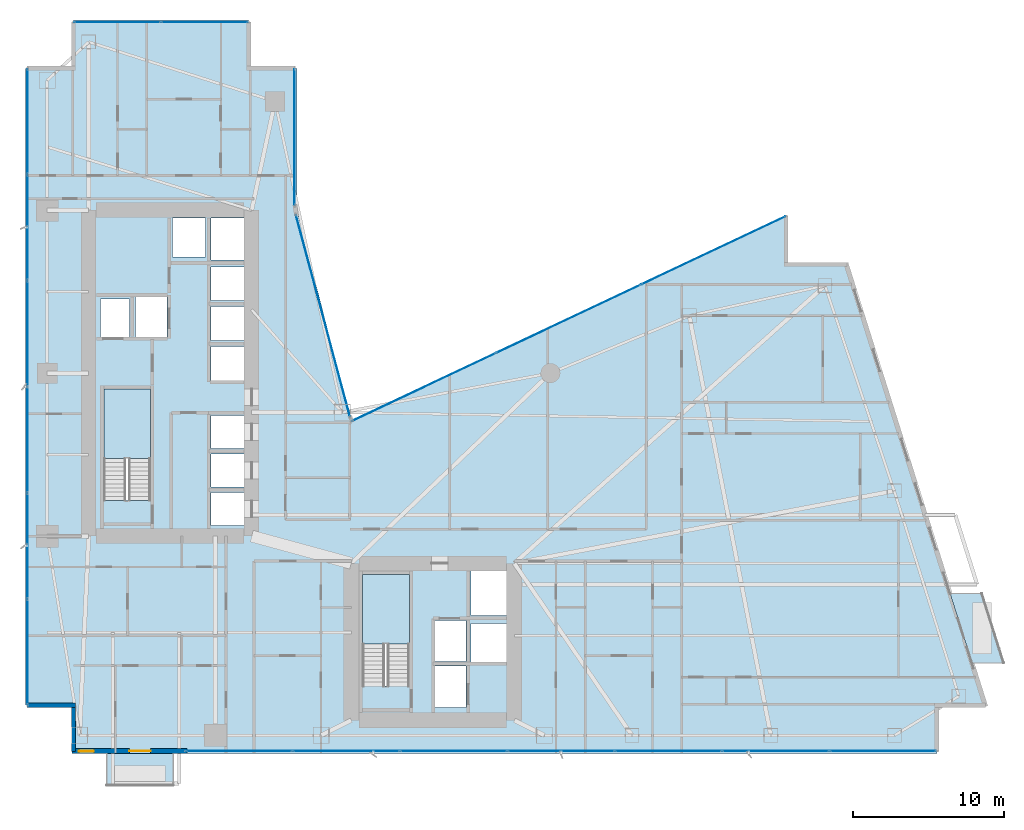
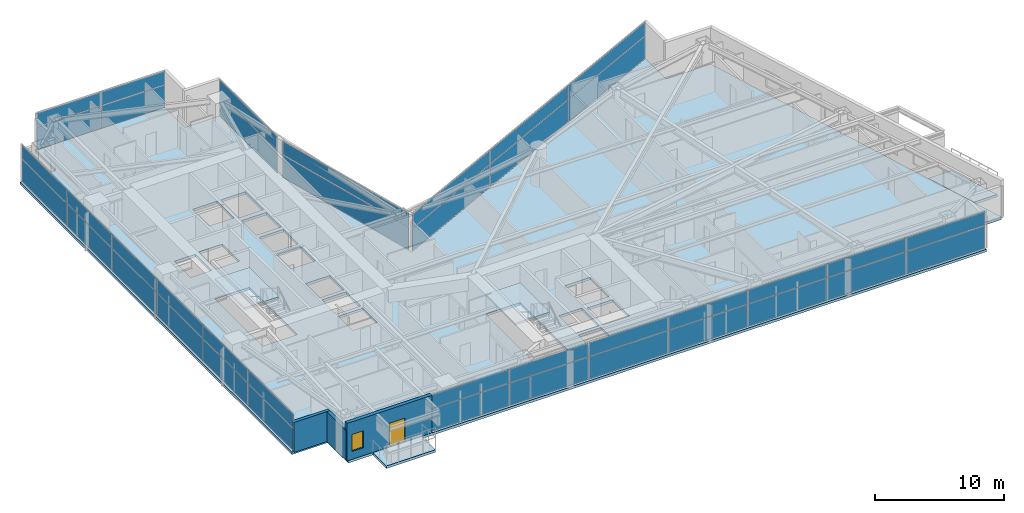
# One storey, part 21 of 30: 40 plates, 5 slabs, 3 walls, 1 door, 1 window, 2 openings, 8 elements without a shape of their own.
"""IFC4 building model written with IfcOpenShell, lengths in metres."""

from ifc_helpers import new_model, si_unit, direction, frame, frame_2d, origin, origin_2d, place, context, subcontext, project, spatial, polyline, rectangle, outline, extrude, material, layer, layer_set, type_object, element, fill, aggregate, save


model = new_model("IFC4")

# Units and contexts
model_context = context("Model", 3, precision=1e-05, world=origin(), true_north=direction((0.0, 1.0)))
body_context = subcontext(model_context, "Body", "Model", "MODEL_VIEW")
ifc_project = project(units=[si_unit("LENGTHUNIT", "METRE"), si_unit("AREAUNIT", "SQUARE_METRE"), si_unit("VOLUMEUNIT", "CUBIC_METRE"), si_unit("PLANEANGLEUNIT", "RADIAN"), si_unit("MASSUNIT", "GRAM", prefix="KILO")], contexts=[model_context])

# Site, building, storey
site_placement = place(None, origin())
site = spatial("IfcSite", under=ifc_project, at=site_placement, CompositionType="ELEMENT")
building_placement = place(site_placement, origin())
building = spatial("IfcBuilding", under=site, at=building_placement, Name="Calvorn Quay Hotel", CompositionType="ELEMENT")
storey_placement = place(building_placement, frame((0.0, 0.0, 77.39990234375)))
storey = spatial("IfcBuildingStorey", under=building, at=storey_placement, Name="L18", CompositionType="ELEMENT", Elevation=77.39990234375)

# Curtain wall, plates
ifc_material_1 = material(Name="Pale Anodised Aluminium and Low-E Glass", Category="aluminium")
ifc_layer_1 = layer(ifc_material_1, 0.219970703125)
ifc_layer_set_1 = layer_set([ifc_layer_1], Name="CW-SYS-Z1")
curtain_wall_type = type_object("IfcCurtainWallType", Name="CW-SYS-Z1", PredefinedType="NOTDEFINED", material=ifc_layer_set_1)
curtain_wall_1_placement = place(storey_placement, origin())
curtain_wall_1 = element("IfcCurtainWall", 1, at=curtain_wall_1_placement, inside=storey, type_object=curtain_wall_type, Name="Tower West Curtain Wall (L18)", PredefinedType="NOTDEFINED")
ifc_material_2 = material(Name="Low-E Laminated Double Glazing", Category="glass")
ifc_layer_2 = layer(ifc_material_2, 0.028076171875)
ifc_layer_set_2 = layer_set([ifc_layer_2], Name="CW-SYS-Z1-PAN")
plate_type = type_object("IfcPlateType", Name="CW-SYS-Z1-PAN", PredefinedType="CURTAIN_PANEL", material=ifc_layer_set_2)
plate_1_placement = place(storey_placement, frame((0.14990234375, 9.131591796875, 0.06005859375), z_axis=(0.0, 0.0, 1.0), x_axis=(0.0, 1.0, 0.0)))
plate_1 = element("IfcPlate", 2, at=plate_1_placement, type_object=plate_type, Name="CW-L18-W panel 1.1", PredefinedType="CURTAIN_PANEL", context=body_context, shape_type="SweptSolid", body=[
    extrude(rectangle(XDim=6.943359375, YDim=0.028076171875, at=origin_2d()), origin(), (0.0, 0.0, 1.0), 2.110107421875),
])
plate_2_placement = place(storey_placement, frame((0.14990234375, 9.131591796875, 2.22998046875), z_axis=(0.0, 0.0, 1.0), x_axis=(0.0, 1.0, 0.0)))
plate_2 = element("IfcPlate", 3, at=plate_2_placement, type_object=plate_type, Name="CW-L18-W panel 1.2", PredefinedType="CURTAIN_PANEL", context=body_context, shape_type="SweptSolid", body=[
    extrude(rectangle(XDim=6.943359375, YDim=0.028076171875, at=origin_2d()), origin(), (0.0, 0.0, 1.0), 1.27001953125),
])
plate_3_placement = place(storey_placement, frame((0.14990234375, 16.14990234375, 0.06005859375), z_axis=(0.0, 0.0, 1.0), x_axis=(0.0, 1.0, 0.0)))
plate_3 = element("IfcPlate", 4, at=plate_3_placement, type_object=plate_type, Name="CW-L18-W panel 2.1", PredefinedType="CURTAIN_PANEL", context=body_context, shape_type="SweptSolid", body=[
    extrude(rectangle(XDim=6.973388671875, YDim=0.028076171875, at=origin_2d()), origin(), (0.0, 0.0, 1.0), 2.110107421875),
])
plate_4_placement = place(storey_placement, frame((0.14990234375, 16.14990234375, 2.22998046875), z_axis=(0.0, 0.0, 1.0), x_axis=(0.0, 1.0, 0.0)))
plate_4 = element("IfcPlate", 5, at=plate_4_placement, type_object=plate_type, Name="CW-L18-W panel 2.2", PredefinedType="CURTAIN_PANEL", context=body_context, shape_type="SweptSolid", body=[
    extrude(rectangle(XDim=6.973388671875, YDim=0.028076171875, at=origin_2d()), origin(), (0.0, 0.0, 1.0), 1.27001953125),
])
plate_5_placement = place(storey_placement, frame((0.14990234375, 23.183349609375, 0.06005859375), z_axis=(0.0, 0.0, 1.0), x_axis=(0.0, 1.0, 0.0)))
plate_5 = element("IfcPlate", 6, at=plate_5_placement, type_object=plate_type, Name="CW-L18-W panel 3.1", PredefinedType="CURTAIN_PANEL", context=body_context, shape_type="SweptSolid", body=[
    extrude(rectangle(XDim=6.973388671875, YDim=0.028076171875, at=origin_2d()), origin(), (0.0, 0.0, 1.0), 2.110107421875),
])
plate_6_placement = place(storey_placement, frame((0.14990234375, 23.183349609375, 2.22998046875), z_axis=(0.0, 0.0, 1.0), x_axis=(0.0, 1.0, 0.0)))
plate_6 = element("IfcPlate", 7, at=plate_6_placement, type_object=plate_type, Name="CW-L18-W panel 3.2", PredefinedType="CURTAIN_PANEL", context=body_context, shape_type="SweptSolid", body=[
    extrude(rectangle(XDim=6.973388671875, YDim=0.028076171875, at=origin_2d()), origin(), (0.0, 0.0, 1.0), 1.27001953125),
])
plate_7_placement = place(storey_placement, frame((0.14990234375, 30.216552734375, 0.06005859375), z_axis=(0.0, 0.0, 1.0), x_axis=(0.0, 1.0, 0.0)))
plate_7 = element("IfcPlate", 8, at=plate_7_placement, type_object=plate_type, Name="CW-L18-W panel 4.1", PredefinedType="CURTAIN_PANEL", context=body_context, shape_type="SweptSolid", body=[
    extrude(rectangle(XDim=6.973388671875, YDim=0.028076171875, at=origin_2d()), origin(), (0.0, 0.0, 1.0), 2.110107421875),
])
plate_8_placement = place(storey_placement, frame((0.14990234375, 30.216552734375, 2.22998046875), z_axis=(0.0, 0.0, 1.0), x_axis=(0.0, 1.0, 0.0)))
plate_8 = element("IfcPlate", 9, at=plate_8_placement, type_object=plate_type, Name="CW-L18-W panel 4.2", PredefinedType="CURTAIN_PANEL", context=body_context, shape_type="SweptSolid", body=[
    extrude(rectangle(XDim=6.973388671875, YDim=0.028076171875, at=origin_2d()), origin(), (0.0, 0.0, 1.0), 1.27001953125),
])
plate_9_placement = place(storey_placement, frame((0.14990234375, 37.25, 0.06005859375), z_axis=(0.0, 0.0, 1.0), x_axis=(0.0, 1.0, 0.0)))
plate_9 = element("IfcPlate", 10, at=plate_9_placement, type_object=plate_type, Name="CW-L18-W panel 5.1", PredefinedType="CURTAIN_PANEL", context=body_context, shape_type="SweptSolid", body=[
    extrude(rectangle(XDim=6.973388671875, YDim=0.028076171875, at=origin_2d()), origin(), (0.0, 0.0, 1.0), 2.110107421875),
])
plate_10_placement = place(storey_placement, frame((0.14990234375, 37.25, 2.22998046875), z_axis=(0.0, 0.0, 1.0), x_axis=(0.0, 1.0, 0.0)))
plate_10 = element("IfcPlate", 11, at=plate_10_placement, type_object=plate_type, Name="CW-L18-W panel 5.2", PredefinedType="CURTAIN_PANEL", context=body_context, shape_type="SweptSolid", body=[
    extrude(rectangle(XDim=6.973388671875, YDim=0.028076171875, at=origin_2d()), origin(), (0.0, 0.0, 1.0), 1.27001953125),
])
plate_11_placement = place(storey_placement, frame((0.14990234375, 44.268310546875, 0.06005859375), z_axis=(0.0, 0.0, 1.0), x_axis=(0.0, 1.0, 0.0)))
plate_11 = element("IfcPlate", 12, at=plate_11_placement, type_object=plate_type, Name="CW-L18-W panel 6.1", PredefinedType="CURTAIN_PANEL", context=body_context, shape_type="SweptSolid", body=[
    extrude(rectangle(XDim=6.943359375, YDim=0.028076171875, at=origin_2d()), origin(), (0.0, 0.0, 1.0), 2.110107421875),
])
plate_12_placement = place(storey_placement, frame((0.14990234375, 44.268310546875, 2.22998046875), z_axis=(0.0, 0.0, 1.0), x_axis=(0.0, 1.0, 0.0)))
plate_12 = element("IfcPlate", 13, at=plate_12_placement, type_object=plate_type, Name="CW-L18-W panel 6.2", PredefinedType="CURTAIN_PANEL", context=body_context, shape_type="SweptSolid", body=[
    extrude(rectangle(XDim=6.943359375, YDim=0.028076171875, at=origin_2d()), origin(), (0.0, 0.0, 1.0), 1.27001953125),
])
aggregate(curtain_wall_1, [plate_1, plate_2, plate_3, plate_4, plate_5, plate_6, plate_7, plate_8, plate_9, plate_10, plate_11, plate_12])

curtain_wall_2_placement = place(storey_placement, origin())
curtain_wall_2 = element("IfcCurtainWall", 14, at=curtain_wall_2_placement, inside=storey, type_object=curtain_wall_type, Name="Tower South Waterfront Curtain Wall (L18)", PredefinedType="NOTDEFINED")
plate_13_placement = place(storey_placement, frame((14.172119140625, 2.550048828125, 0.06005859375), z_axis=(0.0, 0.0, 1.0), x_axis=(1.0, 0.0, 0.0)))
plate_13 = element("IfcPlate", 15, at=plate_13_placement, type_object=plate_type, Name="CW-L18-S panel 1.1", PredefinedType="CURTAIN_PANEL", context=body_context, shape_type="SweptSolid", body=[
    extrude(rectangle(XDim=7.024169921875, YDim=0.028076171875, at=origin_2d()), origin(), (0.0, 0.0, 1.0), 2.110107421875),
])
plate_14_placement = place(storey_placement, frame((14.172119140625, 2.550048828125, 2.22998046875), z_axis=(0.0, 0.0, 1.0), x_axis=(1.0, 0.0, 0.0)))
plate_14 = element("IfcPlate", 16, at=plate_14_placement, type_object=plate_type, Name="CW-L18-S panel 1.2", PredefinedType="CURTAIN_PANEL", context=body_context, shape_type="SweptSolid", body=[
    extrude(rectangle(XDim=7.024169921875, YDim=0.028076171875, at=origin_2d()), origin(), (0.0, 0.0, 1.0), 1.27001953125),
])
plate_15_placement = place(storey_placement, frame((21.271484375, 2.550048828125, 0.06005859375), z_axis=(0.0, 0.0, 1.0), x_axis=(1.0, 0.0, 0.0)))
plate_15 = element("IfcPlate", 17, at=plate_15_placement, type_object=plate_type, Name="CW-L18-S panel 2.1", PredefinedType="CURTAIN_PANEL", context=body_context, shape_type="SweptSolid", body=[
    extrude(rectangle(XDim=7.05419921875, YDim=0.028076171875, at=origin_2d()), origin(), (0.0, 0.0, 1.0), 2.110107421875),
])
plate_16_placement = place(storey_placement, frame((21.271484375, 2.550048828125, 2.22998046875), z_axis=(0.0, 0.0, 1.0), x_axis=(1.0, 0.0, 0.0)))
plate_16 = element("IfcPlate", 18, at=plate_16_placement, type_object=plate_type, Name="CW-L18-S panel 2.2", PredefinedType="CURTAIN_PANEL", context=body_context, shape_type="SweptSolid", body=[
    extrude(rectangle(XDim=7.05419921875, YDim=0.028076171875, at=origin_2d()), origin(), (0.0, 0.0, 1.0), 1.27001953125),
])
plate_17_placement = place(storey_placement, frame((28.3857421875, 2.550048828125, 0.06005859375), z_axis=(0.0, 0.0, 1.0), x_axis=(1.0, 0.0, 0.0)))
plate_17 = element("IfcPlate", 19, at=plate_17_placement, type_object=plate_type, Name="CW-L18-S panel 3.1", PredefinedType="CURTAIN_PANEL", context=body_context, shape_type="SweptSolid", body=[
    extrude(rectangle(XDim=7.05419921875, YDim=0.028076171875, at=origin_2d()), origin(), (0.0, 0.0, 1.0), 2.110107421875),
])
plate_18_placement = place(storey_placement, frame((28.3857421875, 2.550048828125, 2.22998046875), z_axis=(0.0, 0.0, 1.0), x_axis=(1.0, 0.0, 0.0)))
plate_18 = element("IfcPlate", 20, at=plate_18_placement, type_object=plate_type, Name="CW-L18-S panel 3.2", PredefinedType="CURTAIN_PANEL", context=body_context, shape_type="SweptSolid", body=[
    extrude(rectangle(XDim=7.05419921875, YDim=0.028076171875, at=origin_2d()), origin(), (0.0, 0.0, 1.0), 1.27001953125),
])
plate_19_placement = place(storey_placement, frame((35.5, 2.550048828125, 0.06005859375), z_axis=(0.0, 0.0, 1.0), x_axis=(1.0, 0.0, 0.0)))
plate_19 = element("IfcPlate", 21, at=plate_19_placement, type_object=plate_type, Name="CW-L18-S panel 4.1", PredefinedType="CURTAIN_PANEL", context=body_context, shape_type="SweptSolid", body=[
    extrude(rectangle(XDim=7.05419921875, YDim=0.028076171875, at=origin_2d()), origin(), (0.0, 0.0, 1.0), 2.110107421875),
])
plate_20_placement = place(storey_placement, frame((35.5, 2.550048828125, 2.22998046875), z_axis=(0.0, 0.0, 1.0), x_axis=(1.0, 0.0, 0.0)))
plate_20 = element("IfcPlate", 22, at=plate_20_placement, type_object=plate_type, Name="CW-L18-S panel 4.2", PredefinedType="CURTAIN_PANEL", context=body_context, shape_type="SweptSolid", body=[
    extrude(rectangle(XDim=7.05419921875, YDim=0.028076171875, at=origin_2d()), origin(), (0.0, 0.0, 1.0), 1.27001953125),
])
plate_21_placement = place(storey_placement, frame((42.6142578125, 2.550048828125, 0.06005859375), z_axis=(0.0, 0.0, 1.0), x_axis=(1.0, 0.0, 0.0)))
plate_21 = element("IfcPlate", 23, at=plate_21_placement, type_object=plate_type, Name="CW-L18-S panel 5.1", PredefinedType="CURTAIN_PANEL", context=body_context, shape_type="SweptSolid", body=[
    extrude(rectangle(XDim=7.05419921875, YDim=0.028076171875, at=origin_2d()), origin(), (0.0, 0.0, 1.0), 2.110107421875),
])
plate_22_placement = place(storey_placement, frame((42.6142578125, 2.550048828125, 2.22998046875), z_axis=(0.0, 0.0, 1.0), x_axis=(1.0, 0.0, 0.0)))
plate_22 = element("IfcPlate", 24, at=plate_22_placement, type_object=plate_type, Name="CW-L18-S panel 5.2", PredefinedType="CURTAIN_PANEL", context=body_context, shape_type="SweptSolid", body=[
    extrude(rectangle(XDim=7.05419921875, YDim=0.028076171875, at=origin_2d()), origin(), (0.0, 0.0, 1.0), 1.27001953125),
])
plate_23_placement = place(storey_placement, frame((49.728515625, 2.550048828125, 0.06005859375), z_axis=(0.0, 0.0, 1.0), x_axis=(1.0, 0.0, 0.0)))
plate_23 = element("IfcPlate", 25, at=plate_23_placement, type_object=plate_type, Name="CW-L18-S panel 6.1", PredefinedType="CURTAIN_PANEL", context=body_context, shape_type="SweptSolid", body=[
    extrude(rectangle(XDim=7.05419921875, YDim=0.028076171875, at=origin_2d()), origin(), (0.0, 0.0, 1.0), 2.110107421875),
])
plate_24_placement = place(storey_placement, frame((49.728515625, 2.550048828125, 2.22998046875), z_axis=(0.0, 0.0, 1.0), x_axis=(1.0, 0.0, 0.0)))
plate_24 = element("IfcPlate", 26, at=plate_24_placement, type_object=plate_type, Name="CW-L18-S panel 6.2", PredefinedType="CURTAIN_PANEL", context=body_context, shape_type="SweptSolid", body=[
    extrude(rectangle(XDim=7.05419921875, YDim=0.028076171875, at=origin_2d()), origin(), (0.0, 0.0, 1.0), 1.27001953125),
])
plate_25_placement = place(storey_placement, frame((56.827880859375, 2.550048828125, 0.06005859375), z_axis=(0.0, 0.0, 1.0), x_axis=(1.0, 0.0, 0.0)))
plate_25 = element("IfcPlate", 27, at=plate_25_placement, type_object=plate_type, Name="CW-L18-S panel 7.1", PredefinedType="CURTAIN_PANEL", context=body_context, shape_type="SweptSolid", body=[
    extrude(rectangle(XDim=7.024169921875, YDim=0.028076171875, at=origin_2d()), origin(), (0.0, 0.0, 1.0), 2.110107421875),
])
plate_26_placement = place(storey_placement, frame((56.827880859375, 2.550048828125, 2.22998046875), z_axis=(0.0, 0.0, 1.0), x_axis=(1.0, 0.0, 0.0)))
plate_26 = element("IfcPlate", 28, at=plate_26_placement, type_object=plate_type, Name="CW-L18-S panel 7.2", PredefinedType="CURTAIN_PANEL", context=body_context, shape_type="SweptSolid", body=[
    extrude(rectangle(XDim=7.024169921875, YDim=0.028076171875, at=origin_2d()), origin(), (0.0, 0.0, 1.0), 1.27001953125),
])
aggregate(curtain_wall_2, [plate_13, plate_14, plate_15, plate_16, plate_17, plate_18, plate_19, plate_20, plate_21, plate_22, plate_23, plate_24, plate_25, plate_26])

curtain_wall_3_placement = place(storey_placement, origin())
curtain_wall_3 = element("IfcCurtainWall", 29, at=curtain_wall_3_placement, inside=storey, type_object=curtain_wall_type, Name="Inner Court Curtain Wall L18-NE1", PredefinedType="NOTDEFINED")
plate_27_placement = place(storey_placement, frame((45.58642578125, 35.726806640625, 0.06005859375), z_axis=(0.0, 0.0, 1.0), x_axis=(-0.904248646743, -0.427006305415, 0.0)))
plate_27 = element("IfcPlate", 30, at=plate_27_placement, type_object=plate_type, Name="CW-L18-NE1 panel 1.1", PredefinedType="CURTAIN_PANEL", context=body_context, shape_type="SweptSolid", body=[
    extrude(rectangle(XDim=10.526611328125, YDim=0.028076171875, at=origin_2d()), origin(), (0.0, 0.0, 1.0), 2.110107421875),
])
plate_28_placement = place(storey_placement, frame((45.58642578125, 35.726806640625, 2.22998046875), z_axis=(0.0, 0.0, 1.0), x_axis=(-0.904248646743, -0.427006305415, 0.0)))
plate_28 = element("IfcPlate", 31, at=plate_28_placement, type_object=plate_type, Name="CW-L18-NE1 panel 1.2", PredefinedType="CURTAIN_PANEL", context=body_context, shape_type="SweptSolid", body=[
    extrude(rectangle(XDim=10.526611328125, YDim=0.028076171875, at=origin_2d()), origin(), (0.0, 0.0, 1.0), 1.27001953125),
])
plate_29_placement = place(storey_placement, frame((36.0, 31.199951171875, 0.06005859375), z_axis=(0.0, 0.0, 1.0), x_axis=(-0.904248646743, -0.427006305415, 0.0)))
plate_29 = element("IfcPlate", 32, at=plate_29_placement, type_object=plate_type, Name="CW-L18-NE1 panel 2.1", PredefinedType="CURTAIN_PANEL", context=body_context, shape_type="SweptSolid", body=[
    extrude(rectangle(XDim=10.556640625, YDim=0.028076171875, at=origin_2d()), origin(), (0.0, 0.0, 1.0), 2.110107421875),
])
plate_30_placement = place(storey_placement, frame((36.0, 31.199951171875, 2.22998046875), z_axis=(0.0, 0.0, 1.0), x_axis=(-0.904248646743, -0.427006305415, 0.0)))
plate_30 = element("IfcPlate", 33, at=plate_30_placement, type_object=plate_type, Name="CW-L18-NE1 panel 2.2", PredefinedType="CURTAIN_PANEL", context=body_context, shape_type="SweptSolid", body=[
    extrude(rectangle(XDim=10.556640625, YDim=0.028076171875, at=origin_2d()), origin(), (0.0, 0.0, 1.0), 1.27001953125),
])
plate_31_placement = place(storey_placement, frame((26.41357421875, 26.673095703125, 0.06005859375), z_axis=(0.0, 0.0, 1.0), x_axis=(-0.904248646743, -0.427006305415, 0.0)))
plate_31 = element("IfcPlate", 34, at=plate_31_placement, type_object=plate_type, Name="CW-L18-NE1 panel 3.1", PredefinedType="CURTAIN_PANEL", context=body_context, shape_type="SweptSolid", body=[
    extrude(rectangle(XDim=10.526611328125, YDim=0.028076171875, at=origin_2d()), origin(), (0.0, 0.0, 1.0), 2.110107421875),
])
plate_32_placement = place(storey_placement, frame((26.41357421875, 26.673095703125, 2.22998046875), z_axis=(0.0, 0.0, 1.0), x_axis=(-0.904248646743, -0.427006305415, 0.0)))
plate_32 = element("IfcPlate", 35, at=plate_32_placement, type_object=plate_type, Name="CW-L18-NE1 panel 3.2", PredefinedType="CURTAIN_PANEL", context=body_context, shape_type="SweptSolid", body=[
    extrude(rectangle(XDim=10.526611328125, YDim=0.028076171875, at=origin_2d()), origin(), (0.0, 0.0, 1.0), 1.27001953125),
])
aggregate(curtain_wall_3, [plate_27, plate_28, plate_29, plate_30, plate_31, plate_32])

curtain_wall_4_placement = place(storey_placement, origin())
curtain_wall_4 = element("IfcCurtainWall", 36, at=curtain_wall_4_placement, inside=storey, type_object=curtain_wall_type, Name="Inner Court Curtain Wall L18-IC1", PredefinedType="NOTDEFINED")
plate_33_placement = place(storey_placement, frame((19.72509765625, 31.39990234375, 0.06005859375), z_axis=(0.0, 0.0, 1.0), x_axis=(-0.25877913024, 0.96593652056, 0.0)))
plate_33 = element("IfcPlate", 37, at=plate_33_placement, type_object=plate_type, Name="CW-L18-IC1 panel 1.1", PredefinedType="CURTAIN_PANEL", context=body_context, shape_type="SweptSolid", body=[
    extrude(rectangle(XDim=13.814697265625, YDim=0.028076171875, at=origin_2d()), origin(), (0.0, 0.0, 1.0), 2.110107421875),
])
plate_34_placement = place(storey_placement, frame((19.72509765625, 31.39990234375, 2.22998046875), z_axis=(0.0, 0.0, 1.0), x_axis=(-0.25877913024, 0.96593652056, 0.0)))
plate_34 = element("IfcPlate", 38, at=plate_34_placement, type_object=plate_type, Name="CW-L18-IC1 panel 1.2", PredefinedType="CURTAIN_PANEL", context=body_context, shape_type="SweptSolid", body=[
    extrude(rectangle(XDim=13.814697265625, YDim=0.028076171875, at=origin_2d()), origin(), (0.0, 0.0, 1.0), 1.27001953125),
])
aggregate(curtain_wall_4, [plate_33, plate_34])

curtain_wall_5_placement = place(storey_placement, origin())
curtain_wall_5 = element("IfcCurtainWall", 39, at=curtain_wall_5_placement, inside=storey, type_object=curtain_wall_type, Name="Inner Court Curtain Wall L18-IC2", PredefinedType="NOTDEFINED")
plate_35_placement = place(storey_placement, frame((17.85009765625, 43.239990234375, 0.06005859375), z_axis=(0.0, 0.0, 1.0), x_axis=(0.0, 1.0, 0.0)))
plate_35 = element("IfcPlate", 40, at=plate_35_placement, type_object=plate_type, Name="CW-L18-IC2 panel 1.1", PredefinedType="CURTAIN_PANEL", context=body_context, shape_type="SweptSolid", body=[
    extrude(rectangle(XDim=9.0, YDim=0.028076171875, at=origin_2d()), origin(), (0.0, 0.0, 1.0), 2.110107421875),
])
plate_36_placement = place(storey_placement, frame((17.85009765625, 43.239990234375, 2.22998046875), z_axis=(0.0, 0.0, 1.0), x_axis=(0.0, 1.0, 0.0)))
plate_36 = element("IfcPlate", 41, at=plate_36_placement, type_object=plate_type, Name="CW-L18-IC2 panel 1.2", PredefinedType="CURTAIN_PANEL", context=body_context, shape_type="SweptSolid", body=[
    extrude(rectangle(XDim=9.0, YDim=0.028076171875, at=origin_2d()), origin(), (0.0, 0.0, 1.0), 1.27001953125),
])
aggregate(curtain_wall_5, [plate_35, plate_36])

curtain_wall_6_placement = place(storey_placement, origin())
curtain_wall_6 = element("IfcCurtainWall", 42, at=curtain_wall_6_placement, inside=storey, type_object=curtain_wall_type, Name="Inner Court Curtain Wall L18-N1", PredefinedType="NOTDEFINED")
plate_37_placement = place(storey_placement, frame((11.885009765625, 50.85009765625, 0.06005859375), z_axis=(0.0, 0.0, 1.0), x_axis=(-1.0, 0.0, 0.0)))
plate_37 = element("IfcPlate", 43, at=plate_37_placement, type_object=plate_type, Name="CW-L18-N1 panel 1.1", PredefinedType="CURTAIN_PANEL", context=body_context, shape_type="SweptSolid", body=[
    extrude(rectangle(XDim=5.7099609375, YDim=0.028076171875, at=origin_2d()), origin(), (0.0, 0.0, 1.0), 2.110107421875),
])
plate_38_placement = place(storey_placement, frame((11.885009765625, 50.85009765625, 2.22998046875), z_axis=(0.0, 0.0, 1.0), x_axis=(-1.0, 0.0, 0.0)))
plate_38 = element("IfcPlate", 44, at=plate_38_placement, type_object=plate_type, Name="CW-L18-N1 panel 1.2", PredefinedType="CURTAIN_PANEL", context=body_context, shape_type="SweptSolid", body=[
    extrude(rectangle(XDim=5.7099609375, YDim=0.028076171875, at=origin_2d()), origin(), (0.0, 0.0, 1.0), 1.27001953125),
])
plate_39_placement = place(storey_placement, frame((6.114990234375, 50.85009765625, 0.06005859375), z_axis=(0.0, 0.0, 1.0), x_axis=(-1.0, 0.0, 0.0)))
plate_39 = element("IfcPlate", 45, at=plate_39_placement, type_object=plate_type, Name="CW-L18-N1 panel 2.1", PredefinedType="CURTAIN_PANEL", context=body_context, shape_type="SweptSolid", body=[
    extrude(rectangle(XDim=5.7099609375, YDim=0.028076171875, at=origin_2d()), origin(), (0.0, 0.0, 1.0), 2.110107421875),
])
plate_40_placement = place(storey_placement, frame((6.114990234375, 50.85009765625, 2.22998046875), z_axis=(0.0, 0.0, 1.0), x_axis=(-1.0, 0.0, 0.0)))
plate_40 = element("IfcPlate", 46, at=plate_40_placement, type_object=plate_type, Name="CW-L18-N1 panel 2.2", PredefinedType="CURTAIN_PANEL", context=body_context, shape_type="SweptSolid", body=[
    extrude(rectangle(XDim=5.7099609375, YDim=0.028076171875, at=origin_2d()), origin(), (0.0, 0.0, 1.0), 1.27001953125),
])
aggregate(curtain_wall_6, [plate_37, plate_38, plate_39, plate_40])

# Slabs
ifc_material_3 = material(Name="Concrete C40", Category="concrete")
ifc_layer_3 = layer(ifc_material_3, 0.239990234375)
ifc_layer_set_3 = layer_set([ifc_layer_3], Name="SLB-BALCONY-220")
slab_type_1 = type_object("IfcSlabType", Name="SLB-BALCONY-220", PredefinedType="FLOOR", material=ifc_layer_set_3)
slab_1_placement = place(storey_placement, frame((0.0, 0.0, -0.239990234375)))
element("IfcSlab", 47, at=slab_1_placement, inside=storey, type_object=slab_type_1, Name="Tree Balcony Slab L18-BALC-E", PredefinedType="FLOOR", context=body_context, shape_type="SweptSolid", body=[
    extrude(outline(polyline([(62.72802734375, 8.39990234375), (64.827880859375, 8.39990234375), (63.3779296875, 13.0), (61.278076171875, 13.0), (62.72802734375, 8.39990234375)])), origin(), (0.0, 0.0, 1.0), 0.239990234375),
])
slab_2_placement = place(storey_placement, frame((0.0, 0.0, -0.239990234375)))
element("IfcSlab", 48, at=slab_2_placement, inside=storey, type_object=slab_type_1, Name="Tree Balcony Slab L18-BALC-S", PredefinedType="FLOOR", context=body_context, shape_type="SweptSolid", body=[
    extrude(outline(polyline([(5.39990234375, 0.2900390625), (9.800048828125, 0.2900390625), (9.800048828125, 2.389892578125), (5.39990234375, 2.389892578125), (5.39990234375, 0.2900390625)])), origin(), (0.0, 0.0, 1.0), 0.239990234375),
])

# Stair, slab
ifc_material_4 = material(Name="Concrete C40", Category="concrete")
stair_type = type_object("IfcStairType", Name="STR-CORE-DOGLEG", PredefinedType="HALF_TURN_STAIR", material=ifc_material_4)
stair_1_placement = place(storey_placement, origin())
stair_1 = element("IfcStair", 49, at=stair_1_placement, inside=storey, type_object=stair_type, Name="L18 ST-W", PredefinedType="HALF_TURN_STAIR")
ifc_material_5 = material(Name="Concrete C40", Category="concrete")
ifc_layer_4 = layer(ifc_material_5, 0.199951171875)
ifc_layer_set_4 = layer_set([ifc_layer_4], Name="SLB-STAIR-LANDING-200")
slab_type_2 = type_object("IfcSlabType", Name="SLB-STAIR-LANDING-200", PredefinedType="LANDING", material=ifc_layer_set_4)
slab_3_placement = place(storey_placement, frame((0.0, 0.0, 1.7001953125)))
slab_3 = element("IfcSlab", 50, at=slab_3_placement, type_object=slab_type_2, Name="ST-W landing 1", PredefinedType="LANDING", context=body_context, shape_type="SweptSolid", body=[
    extrude(outline(polyline([(8.300048828125, 21.949951171875), (8.300048828125, 26.550048828125), (5.199951171875, 26.550048828125), (5.199951171875, 21.949951171875), (8.300048828125, 21.949951171875)])), origin(), (0.0, 0.0, 1.0), 0.199951171875),
])
aggregate(stair_1, [slab_3])

stair_2_placement = place(storey_placement, origin())
stair_2 = element("IfcStair", 51, at=stair_2_placement, inside=storey, type_object=stair_type, Name="L18 ST-E", PredefinedType="HALF_TURN_STAIR")
slab_4_placement = place(storey_placement, frame((0.0, 0.0, 1.7001953125)))
slab_4 = element("IfcSlab", 52, at=slab_4_placement, type_object=slab_type_2, Name="ST-E landing 1", PredefinedType="LANDING", context=body_context, shape_type="SweptSolid", body=[
    extrude(outline(polyline([(25.449951171875, 9.64990234375), (25.449951171875, 14.25), (22.35009765625, 14.25), (22.35009765625, 9.64990234375), (25.449951171875, 9.64990234375)])), origin(), (0.0, 0.0, 1.0), 0.199951171875),
])
aggregate(stair_2, [slab_4])

# Slab
ifc_material_6 = material(Name="Concrete C40", Category="concrete")
ifc_layer_5 = layer(ifc_material_6, 0.239990234375)
ifc_layer_set_5 = layer_set([ifc_layer_5], Name="SLB-TOWER-240")
slab_type_3 = type_object("IfcSlabType", Name="SLB-TOWER-240", PredefinedType="FLOOR", material=ifc_layer_set_5)
slab_5_placement = place(storey_placement, frame((0.0, 0.0, -0.239990234375)))
element("IfcSlab", 53, at=slab_5_placement, inside=storey, type_object=slab_type_3, Name="L18 Structural Floor Slab", PredefinedType="FLOOR", context=body_context, shape_type="SweptSolid", body=[
    extrude(outline(polyline([(0.0, 5.60009765625), (3.199951171875, 5.60009765625), (3.199951171875, 2.39990234375), (60.39990234375, 2.39990234375), (60.39990234375, 5.60009765625), (63.60009765625, 5.60009765625), (54.39990234375, 34.800048828125), (50.39990234375, 34.800048828125), (50.39990234375, 38.0), (21.60009765625, 24.39990234375), (18.0, 38.39990234375), (18.0, 47.800048828125), (14.800048828125, 47.800048828125), (14.800048828125, 51.0), (3.199951171875, 51.0), (3.199951171875, 47.800048828125), (0.0, 47.800048828125), (0.0, 5.60009765625)]), holes=[polyline([(5.199951171875, 19.156005859375), (8.300048828125, 19.156005859375), (8.300048828125, 26.550048828125), (5.199951171875, 26.550048828125), (5.199951171875, 19.156005859375)]), polyline([(22.35009765625, 6.85595703125), (25.449951171875, 6.85595703125), (25.449951171875, 14.25), (22.35009765625, 14.25), (22.35009765625, 6.85595703125)]), polyline([(5.0, 30.0), (6.89990234375, 30.0), (6.89990234375, 32.5), (5.0, 32.5), (5.0, 30.0)]), polyline([(7.300048828125, 30.0), (9.39990234375, 30.0), (9.39990234375, 32.64990234375), (7.300048828125, 32.64990234375), (7.300048828125, 30.0)]), polyline([(27.159912109375, 8.5), (29.2099609375, 8.5), (29.2099609375, 11.199951171875), (27.159912109375, 11.199951171875), (27.159912109375, 8.5)]), polyline([(27.159912109375, 5.449951171875), (29.2099609375, 5.449951171875), (29.2099609375, 8.199951171875), (27.159912109375, 8.199951171875), (27.159912109375, 5.449951171875)]), polyline([(12.300048828125, 17.5), (14.489990234375, 17.5), (14.489990234375, 19.699951171875), (12.300048828125, 19.699951171875), (12.300048828125, 17.5)]), polyline([(12.300048828125, 20.050048828125), (14.489990234375, 20.050048828125), (14.489990234375, 22.25), (12.300048828125, 22.25), (12.300048828125, 20.050048828125)]), polyline([(12.300048828125, 22.60009765625), (14.489990234375, 22.60009765625), (14.489990234375, 24.800048828125), (12.300048828125, 24.800048828125), (12.300048828125, 22.60009765625)]), polyline([(12.300048828125, 27.10009765625), (14.489990234375, 27.10009765625), (14.489990234375, 29.35009765625), (12.300048828125, 29.35009765625), (12.300048828125, 27.10009765625)]), polyline([(12.300048828125, 29.75), (14.489990234375, 29.75), (14.489990234375, 32.0), (12.300048828125, 32.0), (12.300048828125, 29.75)]), polyline([(12.300048828125, 32.39990234375), (14.489990234375, 32.39990234375), (14.489990234375, 34.64990234375), (12.300048828125, 34.64990234375), (12.300048828125, 32.39990234375)]), polyline([(12.300048828125, 35.10009765625), (14.489990234375, 35.10009765625), (14.489990234375, 37.889892578125), (12.300048828125, 37.889892578125), (12.300048828125, 35.10009765625)]), polyline([(9.75, 35.300048828125), (11.949951171875, 35.300048828125), (11.949951171875, 37.889892578125), (9.75, 37.889892578125), (9.75, 35.300048828125)]), polyline([(29.550048828125, 11.550048828125), (31.889892578125, 11.550048828125), (31.889892578125, 14.489990234375), (29.550048828125, 14.489990234375), (29.550048828125, 11.550048828125)]), polyline([(29.550048828125, 8.449951171875), (31.889892578125, 8.449951171875), (31.889892578125, 11.0), (29.550048828125, 11.0), (29.550048828125, 8.449951171875)])]), origin(), (0.0, 0.0, 1.0), 0.239990234375),
])

# Wall, openings, door, window
ifc_material_7 = material(Name="Concrete C40", Category="concrete")
ifc_layer_6 = layer(ifc_material_7, 0.320068359375)
ifc_layer_set_6 = layer_set([ifc_layer_6], Name="WL-EXT-SPANDREL-320")
wall_type = type_object("IfcWallType", Name="WL-EXT-SPANDREL-320", PredefinedType="SOLIDWALL", material=ifc_layer_set_6)
wall_1_placement = place(storey_placement, frame((3.10009765625, 2.56005859375, 0.0), z_axis=(0.0, 0.0, 1.0), x_axis=(1.0, 0.0, 0.0)))
wall_1 = element("IfcWall", 54, at=wall_1_placement, inside=storey, type_object=wall_type, Name="South Balcony Exterior Wall (L18)", PredefinedType="SOLIDWALL", context=body_context, shape_type="SweptSolid", body=[
    extrude(rectangle(XDim=7.599853515625, YDim=0.320068359375, at=frame_2d((3.7998046875, 0.0))), origin(), (0.0, 0.0, 1.0), 3.56005859375),
])
opening_1_placement = place(wall_1_placement, frame((0.449951171875, 0.0, 0.75)))
opening_1 = element("IfcOpeningElement", 55, at=opening_1_placement, cuts=wall_1, Name="Opening WSB-L18-1", PredefinedType="OPENING", context=body_context, shape_type="SweptSolid", body=[
    extrude(rectangle(XDim=1.0, YDim=1.60009765625, at=frame_2d((0.5, 0.800048828125))), frame((0.0, 0.169921875, 0.0), z_axis=(0.0, -1.0, 0.0), x_axis=(1.0, 0.0, 0.0)), (0.0, 0.0, 1.0), 0.340087890625),
])
opening_2_placement = place(wall_1_placement, frame((3.800048828125, 0.0, 0.0)))
opening_2 = element("IfcOpeningElement", 56, at=opening_2_placement, cuts=wall_1, Name="Opening DB-L18-2", PredefinedType="OPENING", context=body_context, shape_type="SweptSolid", body=[
    extrude(rectangle(XDim=1.39990234375, YDim=2.25, at=frame_2d((0.699951171875, 1.125))), frame((0.0, 0.169921875, 0.0), z_axis=(0.0, -1.0, 0.0), x_axis=(1.0, 0.0, 0.0)), (0.0, 0.0, 1.0), 0.340087890625),
])
ifc_material_8 = material(Name="Typhoon-Rated Low-E Aluminium Terrace Door", Category="aluminium")
door_type = type_object("IfcDoorType", Name="DR-BALCONY-GLZ-1400", OperationType="NOTDEFINED", PredefinedType="DOOR", material=ifc_material_8)
door_placement = place(opening_2_placement, origin())
door = element("IfcDoor", 57, at=door_placement, inside=storey, type_object=door_type, Name="Tree Balcony Terrace Door L18-BALC-S", OperationType="SINGLE_SWING_LEFT", OverallHeight=2.25, OverallWidth=1.39990234375, PredefinedType="DOOR", context=body_context, shape_type="SweptSolid", body=[
    extrude(rectangle(XDim=1.39990234375, YDim=2.25, at=frame_2d((0.699951171875, 1.125))), frame((0.0, 0.02490234375, 0.0), z_axis=(0.0, -1.0, 0.0), x_axis=(1.0, 0.0, 0.0)), (0.0, 0.0, 1.0), 0.050048828125),
])
fill(opening_2, door)
ifc_material_9 = material(Name="Self-Closing Class B Side Fire Window")
window_type = type_object("IfcWindowType", Name="WIN-REFUGE-NARROW-1000x1600", PartitioningType="SINGLE_PANEL", PredefinedType="WINDOW", material=ifc_material_9)
window_placement = place(opening_1_placement, origin())
window = element("IfcWindow", 58, at=window_placement, inside=storey, type_object=window_type, Name="South Waterfront Side Window (L18)", OverallHeight=1.60009765625, OverallWidth=1.0, PartitioningType="SINGLE_PANEL", PredefinedType="WINDOW", context=body_context, shape_type="SweptSolid", body=[
    extrude(rectangle(XDim=1.0, YDim=1.60009765625, at=frame_2d((0.5, 0.800048828125))), frame((0.0, 0.030029296875, 0.0), z_axis=(0.0, -1.0, 0.0), x_axis=(1.0, 0.0, 0.0)), (0.0, 0.0, 1.0), 0.06005859375),
])
fill(opening_1, window)

# Walls
wall_2_placement = place(storey_placement, frame((0.1201171875, 5.60009765625, 0.0), z_axis=(0.0, 0.0, 1.0), x_axis=(1.0, 0.0, 0.0)))
element("IfcWall", 59, at=wall_2_placement, inside=storey, type_object=wall_type, Name="Notched Corner Spandrel L18-SW1", PredefinedType="SOLIDWALL", context=body_context, shape_type="SweptSolid", body=[
    extrude(rectangle(XDim=3.219970703125, YDim=0.280029296875, at=frame_2d((1.60986328125, 0.0))), origin(), (0.0, 0.0, 1.0), 2.840087890625),
])
wall_3_placement = place(storey_placement, frame((3.199951171875, 5.4599609375, 0.0), z_axis=(0.0, 0.0, 1.0), x_axis=(0.0, -1.0, 0.0)))
element("IfcWall", 60, at=wall_3_placement, inside=storey, type_object=wall_type, Name="Notched Corner Spandrel L18-SW2", PredefinedType="SOLIDWALL", context=body_context, shape_type="SweptSolid", body=[
    extrude(rectangle(XDim=2.93994140625, YDim=0.280029296875, at=frame_2d((1.469970703125, 0.0))), origin(), (0.0, 0.0, 1.0), 2.840087890625),
])

save(model, "model.ifc")
